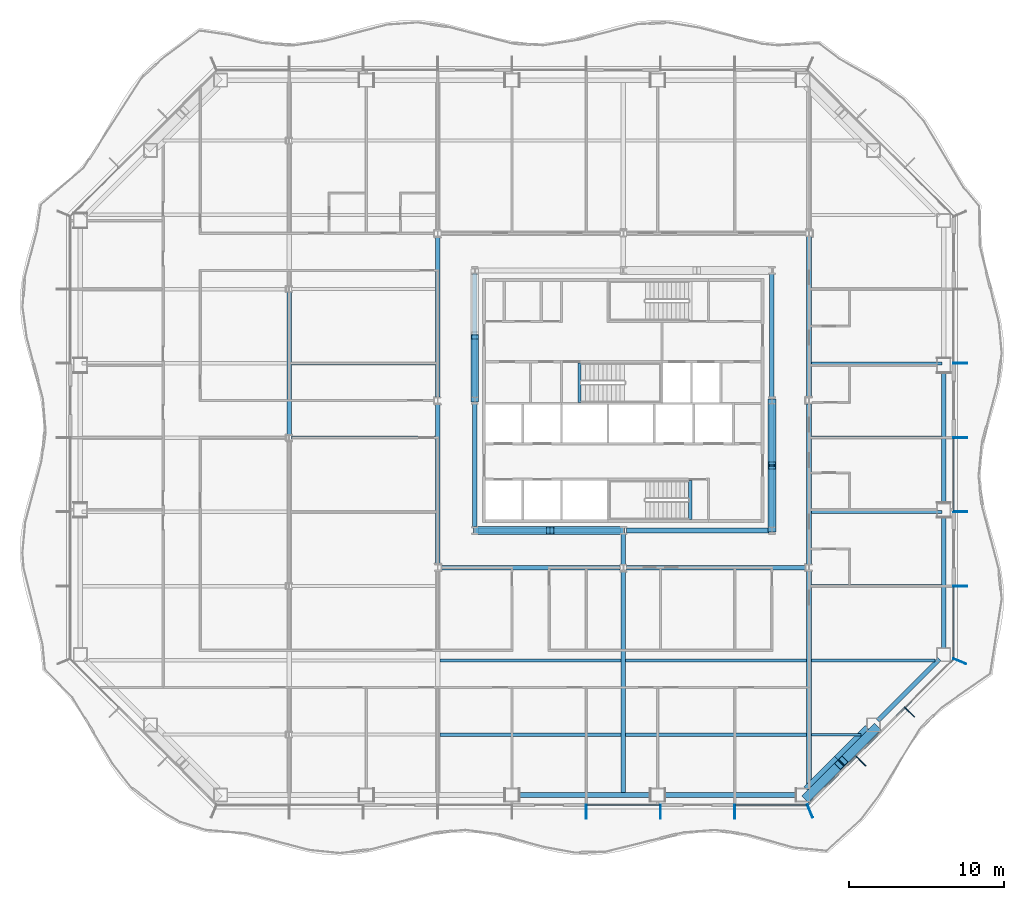
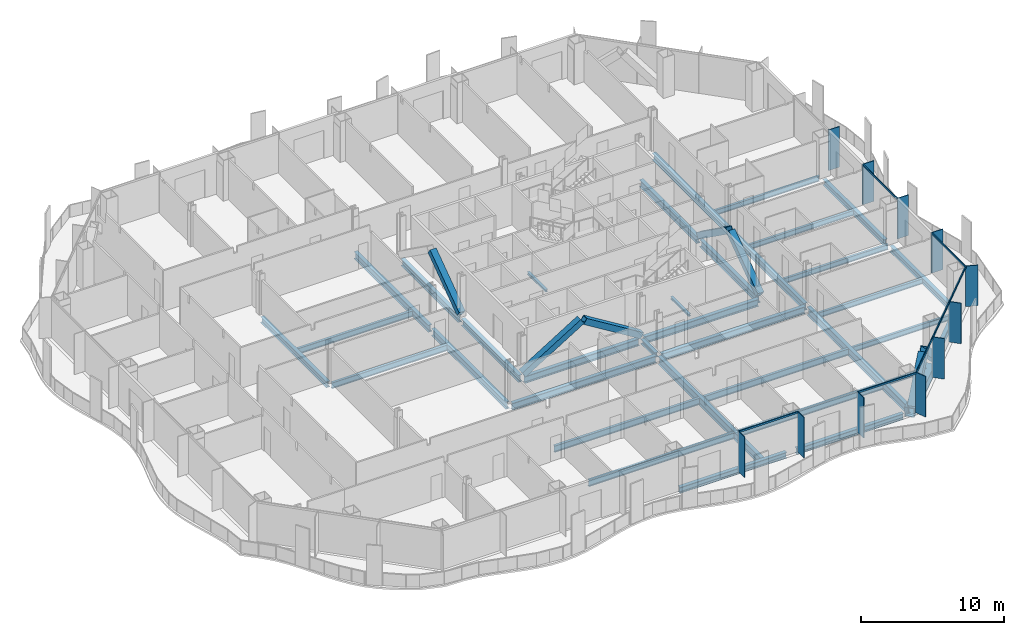
# One storey, part 2 of 18: 37 beams, 25 members, 3 elements without a shape of their own.
"""IFC4 building model written with IfcOpenShell, lengths in metres."""

from ifc_helpers import new_model, si_unit, direction, frame, origin, origin_2d, place, context, subcontext, project, spatial, rectangle, hollow_rectangle, i_section, extrude, material, material_profile, profile_set, type_object, element, aggregate, save


model = new_model("IFC4")

# Units and contexts
model_context = context("Model", 3, precision=1e-05, world=origin(), true_north=direction((0.0, 1.0)))
body_context = subcontext(model_context, "Body", "Model", "MODEL_VIEW")
ifc_project = project(units=[si_unit("LENGTHUNIT", "METRE"), si_unit("AREAUNIT", "SQUARE_METRE"), si_unit("VOLUMEUNIT", "CUBIC_METRE"), si_unit("PLANEANGLEUNIT", "RADIAN"), si_unit("MASSUNIT", "GRAM", prefix="KILO")], contexts=[model_context])

# Site, building, storey
site_placement = place(None, origin())
site = spatial("IfcSite", under=ifc_project, at=site_placement, CompositionType="ELEMENT")
building_placement = place(site_placement, origin())
building = spatial("IfcBuilding", under=site, at=building_placement, Name="Cairn Pilgrim Tower", CompositionType="ELEMENT")
storey_placement = place(building_placement, frame((0.0, 0.0, 65.39990234375)))
storey = spatial("IfcBuildingStorey", under=building, at=storey_placement, Name="L14", CompositionType="ELEMENT", Elevation=65.39990234375)

# Members
ifc_material_1 = material(Name="Structural steel S460M", Category="steel")
ifc_material_profile_1 = material_profile(ifc_material_1, hollow_rectangle(XDim=0.5, YDim=0.5, WallThickness=0.030029296875, at=origin_2d()), Name="BOX 500x500x30")
ifc_profile_set_1 = profile_set([ifc_material_profile_1], Name="Structural steel S460M")
member_type_1 = type_object("IfcMemberType", Name="BOX 500x500x30 BRACE", PredefinedType="BRACE", material=ifc_profile_set_1)
member_1_placement = place(storey_placement, frame((-2.356201171875, -6.0, 0.10009765625), z_axis=(0.850990224345, 0.0, 0.525181528683), x_axis=(0.0, 1.0, 0.0)))
element("IfcMember", 1, at=member_1_placement, inside=storey, type_object=member_type_1, Name="KB-1A", PredefinedType="BRACE", context=body_context, shape_type="SweptSolid", body=[
    extrude(hollow_rectangle(XDim=0.5, YDim=0.5, WallThickness=0.030029296875, at=origin_2d()), origin(), (0.0, 0.0, 1.0), 5.5263671875),
])
member_2_placement = place(storey_placement, frame((7.15625, -6.0, 0.10009765625), z_axis=(-0.851007515624, 0.0, 0.525153509321), x_axis=(0.0, -1.0, 0.0)))
element("IfcMember", 2, at=member_2_placement, inside=storey, type_object=member_type_1, Name="KB-1B", PredefinedType="BRACE", context=body_context, shape_type="SweptSolid", body=[
    extrude(hollow_rectangle(XDim=0.5, YDim=0.5, WallThickness=0.030029296875, at=origin_2d()), origin(), (0.0, 0.0, 1.0), 5.37646484375),
])
member_3_placement = place(storey_placement, frame((16.800048828125, -5.956298828125, 0.10009765625), z_axis=(0.0, 0.814198726233, 0.580586284889), x_axis=(-1.0, 0.0, 0.0)))
element("IfcMember", 3, at=member_3_placement, inside=storey, type_object=member_type_1, Name="KB-2A", PredefinedType="BRACE", context=body_context, shape_type="SweptSolid", body=[
    extrude(hollow_rectangle(XDim=0.5, YDim=0.5, WallThickness=0.030029296875, at=origin_2d()), origin(), (0.0, 0.0, 1.0), 4.99658203125),
])
member_4_placement = place(storey_placement, frame((16.800048828125, 2.356201171875, 0.10009765625), z_axis=(0.0, -0.814182254599, 0.580609383576), x_axis=(1.0, 0.0, 0.0)))
element("IfcMember", 4, at=member_4_placement, inside=storey, type_object=member_type_1, Name="KB-2B", PredefinedType="BRACE", context=body_context, shape_type="SweptSolid", body=[
    extrude(hollow_rectangle(XDim=0.5, YDim=0.5, WallThickness=0.030029296875, at=origin_2d()), origin(), (0.0, 0.0, 1.0), 4.996337890625),
])
member_5_placement = place(storey_placement, frame((-2.39990234375, 2.443603515625, 0.10009765625), z_axis=(0.0, 0.814198726233, 0.580586284889), x_axis=(-1.0, 0.0, 0.0)))
element("IfcMember", 5, at=member_5_placement, inside=storey, type_object=member_type_1, Name="KB-4B", PredefinedType="BRACE", context=body_context, shape_type="SweptSolid", body=[
    extrude(hollow_rectangle(XDim=0.5, YDim=0.5, WallThickness=0.030029296875, at=origin_2d()), origin(), (0.0, 0.0, 1.0), 4.99658203125),
])
ifc_material_profile_2 = material_profile(ifc_material_1, hollow_rectangle(XDim=0.60009765625, YDim=0.60009765625, WallThickness=0.034912109375, at=origin_2d()), Name="BOX 600x600x35")
ifc_profile_set_2 = profile_set([ifc_material_profile_2], Name="Structural steel S460M")
member_type_2 = type_object("IfcMemberType", Name="BOX 600x600x35 BRACE", PredefinedType="BRACE", material=ifc_profile_set_2)
for number, where, z_axis, x_axis, name in (
    (6, (19.078125, -23.2236328125, 0.150146484375), (0.528943710525, 0.528943710525, 0.663654354459), (-0.707106781187, 0.707106781187, 0.0), "XB-SE1-SE2-1"),
    (7, (23.4873046875, -18.814697265625, 0.150146484375), (-0.528960912345, -0.52889942671, 0.663675937214), (0.70706568108, -0.707147878904, 0.0), "XB-SE1-SE2-2"),
):
    element("IfcMember", number, at=place(storey_placement, frame(where, z_axis=z_axis, x_axis=x_axis)), inside=storey, type_object=member_type_2, Name=name, PredefinedType="BRACE", context=body_context, shape_type="SweptSolid", body=[
        extrude(hollow_rectangle(XDim=0.60009765625, YDim=0.60009765625, WallThickness=0.034912109375, at=origin_2d()), origin(), (0.0, 0.0, 1.0), 3.970703125),
    ])

# Beams
ifc_material_2 = material(Name="Structural steel S355J2", Category="steel")
ifc_material_profile_3 = material_profile(ifc_material_2, hollow_rectangle(XDim=0.699951171875, YDim=0.800048828125, WallThickness=0.0400390625, at=origin_2d()), Name="BOX 700x800x40")
ifc_profile_set_3 = profile_set([ifc_material_profile_3], Name="Structural steel S355J2")
beam_type_1 = type_object("IfcBeamType", Name="BOX 700x800x40 RING GIRDER", PredefinedType="SPANDREL", material=ifc_profile_set_3)
beam_1_placement = place(storey_placement, frame((19.113525390625, -22.813720703125, -0.5498046875), z_axis=(0.707106781187, 0.707106781187, 0.0), x_axis=(-0.707106781187, 0.707106781187, 0.0)))
element("IfcBeam", 8, at=beam_1_placement, inside=storey, type_object=beam_type_1, Name="RG1-SE1-SE2-1", PredefinedType="SPANDREL", context=body_context, shape_type="SweptSolid", body=[
    extrude(hollow_rectangle(XDim=0.699951171875, YDim=0.800048828125, WallThickness=0.0400390625, at=origin_2d()), origin(), (0.0, 0.0, 1.0), 2.802978515625),
])
beam_2_placement = place(storey_placement, frame((21.095458984375, -20.831787109375, -0.5498046875), z_axis=(0.707106781187, 0.707106781187, 0.0), x_axis=(-0.707106781187, 0.707106781187, 0.0)))
element("IfcBeam", 9, at=beam_2_placement, inside=storey, type_object=beam_type_1, Name="RG1-SE1-SE2-2", PredefinedType="SPANDREL", context=body_context, shape_type="SweptSolid", body=[
    extrude(hollow_rectangle(XDim=0.699951171875, YDim=0.800048828125, WallThickness=0.0400390625, at=origin_2d()), origin(), (0.0, 0.0, 1.0), 2.802490234375),
])

# Curtain wall, members
ifc_material_3 = material(Name="Aluminium alloy 6063-T6 bronze anodised with Bronze tinted laminated low-E glass 8+16+8.8", Category="aluminium")
curtain_wall_type_1 = type_object("IfcCurtainWallType", Name="TOWER STICK CURTAIN WALL NS", PredefinedType="NOTDEFINED", material=ifc_material_3)
curtain_wall_1_placement = place(storey_placement, origin())
curtain_wall_1 = element("IfcCurtainWall", 10, at=curtain_wall_1_placement, inside=storey, type_object=curtain_wall_type_1, Name="Tower Stick Curtain Wall Ns S", PredefinedType="NOTDEFINED")
ifc_material_4 = material(Name="Aluminium alloy 6063-T6 bronze anodised", Category="aluminium")
ifc_material_profile_4 = material_profile(ifc_material_4, rectangle(XDim=0.89990234375, YDim=0.06005859375, at=origin_2d()), Name="FIN MULLION 60x900 BRONZE")
ifc_profile_set_4 = profile_set([ifc_material_profile_4], Name="Aluminium alloy 6063-T6 bronze anodised")
member_type_3 = type_object("IfcMemberType", Name="FIN MULLION 60x900 BRONZE", PredefinedType="MULLION", material=ifc_profile_set_4)
member_6_placement = place(storey_placement, frame((4.800048828125, -24.169921875, 0.0), z_axis=(0.0, 0.0, 1.0), x_axis=(0.0, -1.0, 0.0)))
member_6 = element("IfcMember", 11, at=member_6_placement, type_object=member_type_3, Name="Fin mullion S6", PredefinedType="MULLION", context=body_context, shape_type="SweptSolid", body=[
    extrude(rectangle(XDim=0.89990234375, YDim=0.06005859375, at=origin_2d()), origin(), (0.0, 0.0, 1.0), 3.4501953125),
])
member_7_placement = place(storey_placement, frame((9.60009765625, -24.169921875, 0.0), z_axis=(0.0, 0.0, 1.0), x_axis=(0.0, -1.0, 0.0)))
member_7 = element("IfcMember", 12, at=member_7_placement, type_object=member_type_3, Name="Fin mullion S7", PredefinedType="MULLION", context=body_context, shape_type="SweptSolid", body=[
    extrude(rectangle(XDim=0.89990234375, YDim=0.06005859375, at=origin_2d()), origin(), (0.0, 0.0, 1.0), 3.4501953125),
])
member_8_placement = place(storey_placement, frame((14.39990234375, -24.169921875, 0.0), z_axis=(0.0, 0.0, 1.0), x_axis=(0.0, -1.0, 0.0)))
member_8 = element("IfcMember", 13, at=member_8_placement, type_object=member_type_3, Name="Fin mullion S8", PredefinedType="MULLION", context=body_context, shape_type="SweptSolid", body=[
    extrude(rectangle(XDim=0.89990234375, YDim=0.06005859375, at=origin_2d()), origin(), (0.0, 0.0, 1.0), 3.4501953125),
])

curtain_wall_type_2 = type_object("IfcCurtainWallType", Name="CHAMFER CORNER CURTAIN WALL", PredefinedType="NOTDEFINED", material=ifc_material_3)
curtain_wall_2_placement = place(storey_placement, origin())
curtain_wall_2 = element("IfcCurtainWall", 14, at=curtain_wall_2_placement, inside=storey, type_object=curtain_wall_type_2, Name="Chamfer Corner Curtain Wall SE", PredefinedType="NOTDEFINED")
member_9_placement = place(storey_placement, frame((19.257080078125, -24.137939453125, 0.0), z_axis=(0.0, 0.0, 1.0), x_axis=(0.382683432365, -0.923879532511, 0.0)))
member_9 = element("IfcMember", 15, at=member_9_placement, type_object=member_type_3, Name="Fin mullion SE1", PredefinedType="MULLION", context=body_context, shape_type="SweptSolid", body=[
    extrude(rectangle(XDim=0.89990234375, YDim=0.06005859375, at=origin_2d()), origin(), (0.0, 0.0, 1.0), 3.4501953125),
])
member_10_placement = place(storey_placement, frame((22.544677734375, -20.895751953125, 0.0), z_axis=(0.0, 0.0, 1.0), x_axis=(0.707106781187, -0.707106781187, 0.0)))
member_10 = element("IfcMember", 16, at=member_10_placement, type_object=member_type_3, Name="Fin mullion SE2", PredefinedType="MULLION", context=body_context, shape_type="SweptSolid", body=[
    extrude(rectangle(XDim=0.89990234375, YDim=0.06005859375, at=origin_2d()), origin(), (0.0, 0.0, 1.0), 3.4501953125),
])
member_11_placement = place(storey_placement, frame((25.69580078125, -17.74462890625, 0.0), z_axis=(0.0, 0.0, 1.0), x_axis=(0.707106781187, -0.707106781187, 0.0)))
member_11 = element("IfcMember", 17, at=member_11_placement, type_object=member_type_3, Name="Fin mullion SE3", PredefinedType="MULLION", context=body_context, shape_type="SweptSolid", body=[
    extrude(rectangle(XDim=0.89990234375, YDim=0.06005859375, at=origin_2d()), origin(), (0.0, 0.0, 1.0), 3.4501953125),
])

curtain_wall_type_3 = type_object("IfcCurtainWallType", Name="TOWER STICK CURTAIN WALL EW", PredefinedType="NOTDEFINED", material=ifc_material_3)
curtain_wall_3_placement = place(storey_placement, origin())
curtain_wall_3 = element("IfcCurtainWall", 18, at=curtain_wall_3_placement, inside=storey, type_object=curtain_wall_type_3, Name="Tower Stick Curtain Wall Ew E", PredefinedType="NOTDEFINED")
member_12_placement = place(storey_placement, frame((28.93798828125, -14.457275390625, 0.0), z_axis=(0.0, 0.0, 1.0), x_axis=(0.923879532511, -0.382683432365, 0.0)))
member_12 = element("IfcMember", 19, at=member_12_placement, type_object=member_type_3, Name="Fin mullion E1", PredefinedType="MULLION", context=body_context, shape_type="SweptSolid", body=[
    extrude(rectangle(XDim=0.89990234375, YDim=0.06005859375, at=origin_2d()), origin(), (0.0, 0.0, 1.0), 3.4501953125),
])
member_13_placement = place(storey_placement, frame((28.969970703125, -9.60009765625, 0.0), z_axis=(0.0, 0.0, 1.0), x_axis=(1.0, 0.0, 0.0)))
member_13 = element("IfcMember", 20, at=member_13_placement, type_object=member_type_3, Name="Fin mullion E2", PredefinedType="MULLION", context=body_context, shape_type="SweptSolid", body=[
    extrude(rectangle(XDim=0.89990234375, YDim=0.06005859375, at=origin_2d()), origin(), (0.0, 0.0, 1.0), 3.4501953125),
])
member_14_placement = place(storey_placement, frame((28.969970703125, -4.800048828125, 0.0), z_axis=(0.0, 0.0, 1.0), x_axis=(1.0, 0.0, 0.0)))
member_14 = element("IfcMember", 21, at=member_14_placement, type_object=member_type_3, Name="Fin mullion E3", PredefinedType="MULLION", context=body_context, shape_type="SweptSolid", body=[
    extrude(rectangle(XDim=0.89990234375, YDim=0.06005859375, at=origin_2d()), origin(), (0.0, 0.0, 1.0), 3.4501953125),
])
member_15_placement = place(storey_placement, frame((28.969970703125, 0.0, 0.0), z_axis=(0.0, 0.0, 1.0), x_axis=(1.0, 0.0, 0.0)))
member_15 = element("IfcMember", 22, at=member_15_placement, type_object=member_type_3, Name="Fin mullion E4", PredefinedType="MULLION", context=body_context, shape_type="SweptSolid", body=[
    extrude(rectangle(XDim=0.89990234375, YDim=0.06005859375, at=origin_2d()), origin(), (0.0, 0.0, 1.0), 3.4501953125),
])
member_16_placement = place(storey_placement, frame((28.969970703125, 4.800048828125, 0.0), z_axis=(0.0, 0.0, 1.0), x_axis=(1.0, 0.0, 0.0)))
member_16 = element("IfcMember", 23, at=member_16_placement, type_object=member_type_3, Name="Fin mullion E5", PredefinedType="MULLION", context=body_context, shape_type="SweptSolid", body=[
    extrude(rectangle(XDim=0.89990234375, YDim=0.06005859375, at=origin_2d()), origin(), (0.0, 0.0, 1.0), 3.4501953125),
])

# Beams
ifc_material_profile_5 = material_profile(ifc_material_2, i_section(OverallWidth=0.300048828125, OverallDepth=0.39990234375, WebThickness=0.013427734375, FlangeThickness=0.02392578125, FilletRadius=0.027099609375, at=origin_2d()), Name="HEB 400")
ifc_profile_set_5 = profile_set([ifc_material_profile_5], Name="Structural steel S355J2")
beam_type_2 = type_object("IfcBeamType", Name="HEB 400 GIRDER", PredefinedType="BEAM", material=ifc_profile_set_5)
beam_3_placement = place(storey_placement, frame((7.199951171875, -8.18798828125, -0.349853515625), z_axis=(0.0, 1.0, 0.0), x_axis=(-1.0, 0.0, 0.0)))
element("IfcBeam", 24, at=beam_3_placement, inside=storey, type_object=beam_type_2, Name="PG3-E1", PredefinedType="BEAM", context=body_context, shape_type="SweptSolid", body=[
    extrude(i_section(OverallWidth=0.300048828125, OverallDepth=0.39990234375, WebThickness=0.013427734375, FlangeThickness=0.02392578125, FilletRadius=0.027099609375, at=origin_2d()), origin(), (0.0, 0.0, 1.0), 1.969482421875),
])
ifc_material_profile_6 = material_profile(ifc_material_2, i_section(OverallWidth=0.300048828125, OverallDepth=0.5, WebThickness=0.014404296875, FlangeThickness=0.028076171875, FilletRadius=0.027099609375, at=origin_2d()), Name="HEB 500")
ifc_profile_set_6 = profile_set([ifc_material_profile_6], Name="Structural steel S355J2")
beam_type_3 = type_object("IfcBeamType", Name="HEB 500 GIRDER", PredefinedType="BEAM", material=ifc_profile_set_6)
beam_4_placement = place(storey_placement, frame((-14.39990234375, 0.20458984375, -0.39990234375), z_axis=(0.0, 1.0, 0.0), x_axis=(-1.0, 0.0, 0.0)))
element("IfcBeam", 25, at=beam_4_placement, inside=storey, type_object=beam_type_3, Name="PG1-4", PredefinedType="BEAM", context=body_context, shape_type="SweptSolid", body=[
    extrude(i_section(OverallWidth=0.300048828125, OverallDepth=0.5, WebThickness=0.014404296875, FlangeThickness=0.028076171875, FilletRadius=0.027099609375, at=origin_2d()), origin(), (0.0, 0.0, 1.0), 9.19091796875),
])
ifc_material_profile_7 = material_profile(ifc_material_2, i_section(OverallWidth=0.300048828125, OverallDepth=0.5, WebThickness=0.014404296875, FlangeThickness=0.028076171875, FilletRadius=0.027099609375, at=origin_2d()), Name="HEB 500")
ifc_profile_set_7 = profile_set([ifc_material_profile_7], Name="Structural steel S355J2")
beam_type_4 = type_object("IfcBeamType", Name="HEB 500 RING GIRDER", PredefinedType="SPANDREL", material=ifc_profile_set_7)
for number, where, z_axis, x_axis, name in (
    (26, (0.405029296875, -23.10009765625, -0.39990234375), (1.0, 0.0, 0.0), (0.0, 1.0, 0.0), "RG1-S3-S4"),
    (27, (9.818603515625, -23.10009765625, -0.39990234375), (1.0, 0.0, 0.0), (0.0, 1.0, 0.0), "RG1-S4-SE1"),
):
    element("IfcBeam", number, at=place(storey_placement, frame(where, z_axis=z_axis, x_axis=x_axis)), inside=storey, type_object=beam_type_4, Name=name, PredefinedType="SPANDREL", context=body_context, shape_type="SweptSolid", body=[
        extrude(i_section(OverallWidth=0.300048828125, OverallDepth=0.5, WebThickness=0.014404296875, FlangeThickness=0.028076171875, FilletRadius=0.027099609375, at=origin_2d()), origin(), (0.0, 0.0, 1.0), 8.603515625),
    ])
beam_5_placement = place(storey_placement, frame((23.64990234375, -18.277099609375, -0.39990234375), z_axis=(0.707128558756, 0.707085002947, 0.0), x_axis=(-0.707085002947, 0.707128558756, 0.0)))
element("IfcBeam", 28, at=beam_5_placement, inside=storey, type_object=beam_type_4, Name="RG1-SE2-E1", PredefinedType="SPANDREL", context=body_context, shape_type="SweptSolid", body=[
    extrude(i_section(OverallWidth=0.300048828125, OverallDepth=0.5, WebThickness=0.014404296875, FlangeThickness=0.028076171875, FilletRadius=0.027099609375, at=origin_2d()), origin(), (0.0, 0.0, 1.0), 5.605224609375),
])
for number, where, z_axis, x_axis, name in (
    (29, (27.89990234375, -13.622314453125, -0.39990234375), (0.0, 1.0, 0.0), (-1.0, 0.0, 0.0), "RG1-E1-E2"),
    (30, (27.89990234375, -4.270751953125, -0.39990234375), (0.0, 1.0, 0.0), (-1.0, 0.0, 0.0), "RG1-E2-E3"),
):
    element("IfcBeam", number, at=place(storey_placement, frame(where, z_axis=z_axis, x_axis=x_axis)), inside=storey, type_object=beam_type_4, Name=name, PredefinedType="SPANDREL", context=body_context, shape_type="SweptSolid", body=[
        extrude(i_section(OverallWidth=0.300048828125, OverallDepth=0.5, WebThickness=0.014404296875, FlangeThickness=0.028076171875, FilletRadius=0.027099609375, at=origin_2d()), origin(), (0.0, 0.0, 1.0), 8.54150390625),
    ])
ifc_material_profile_8 = material_profile(ifc_material_2, i_section(OverallWidth=0.300048828125, OverallDepth=0.60009765625, WebThickness=0.015380859375, FlangeThickness=0.030029296875, FilletRadius=0.027099609375, at=origin_2d()), Name="HEB 600")
ifc_profile_set_8 = profile_set([ifc_material_profile_8], Name="Structural steel S355J2")
beam_type_5 = type_object("IfcBeamType", Name="HEB 600 CORE BEAM", PredefinedType="BEAM", material=ifc_profile_set_8)
beam_6_placement = place(storey_placement, frame((-2.203369140625, -6.0, -0.449951171875), z_axis=(1.0, 0.0, 0.0), x_axis=(0.0, 1.0, 0.0)))
element("IfcBeam", 31, at=beam_6_placement, inside=storey, type_object=beam_type_5, Name="CB-1", PredefinedType="BEAM", context=body_context, shape_type="SweptSolid", body=[
    extrude(i_section(OverallWidth=0.300048828125, OverallDepth=0.60009765625, WebThickness=0.015380859375, FlangeThickness=0.030029296875, FilletRadius=0.027099609375, at=origin_2d()), origin(), (0.0, 0.0, 1.0), 9.206787109375),
])
beam_7_placement = place(storey_placement, frame((7.396728515625, -6.0, -0.449951171875), z_axis=(1.0, 0.0, 0.0), x_axis=(0.0, 1.0, 0.0)))
element("IfcBeam", 32, at=beam_7_placement, inside=storey, type_object=beam_type_5, Name="CB-2", PredefinedType="BEAM", context=body_context, shape_type="SweptSolid", body=[
    extrude(i_section(OverallWidth=0.300048828125, OverallDepth=0.60009765625, WebThickness=0.015380859375, FlangeThickness=0.030029296875, FilletRadius=0.027099609375, at=origin_2d()), origin(), (0.0, 0.0, 1.0), 9.20654296875),
])
for number, where, z_axis, x_axis, name in (
    (33, (16.800048828125, -5.803466796875, -0.449951171875), (0.0, 1.0, 0.0), (-1.0, 0.0, 0.0), "CB-3"),
    (34, (16.800048828125, 2.5966796875, -0.449951171875), (0.0, 1.0, 0.0), (-1.0, 0.0, 0.0), "CB-4"),
    (35, (-2.39990234375, 10.603515625, -0.449951171875), (0.0, -1.0, 0.0), (1.0, 0.0, 0.0), "CB-7"),
    (36, (-2.39990234375, 2.203369140625, -0.449951171875), (0.0, -1.0, 0.0), (1.0, 0.0, 0.0), "CB-8"),
):
    element("IfcBeam", number, at=place(storey_placement, frame(where, z_axis=z_axis, x_axis=x_axis)), inside=storey, type_object=beam_type_5, Name=name, PredefinedType="BEAM", context=body_context, shape_type="SweptSolid", body=[
        extrude(i_section(OverallWidth=0.300048828125, OverallDepth=0.60009765625, WebThickness=0.015380859375, FlangeThickness=0.030029296875, FilletRadius=0.027099609375, at=origin_2d()), origin(), (0.0, 0.0, 1.0), 8.0068359375),
    ])
ifc_material_profile_9 = material_profile(ifc_material_2, i_section(OverallWidth=0.300048828125, OverallDepth=0.60009765625, WebThickness=0.015380859375, FlangeThickness=0.030029296875, FilletRadius=0.027099609375, at=origin_2d()), Name="HEB 600")
ifc_profile_set_9 = profile_set([ifc_material_profile_9], Name="Structural steel S355J2")
beam_type_6 = type_object("IfcBeamType", Name="HEB 600 GIRDER", PredefinedType="BEAM", material=ifc_profile_set_9)
for number, where, z_axis, x_axis, name in (
    (37, (-4.800048828125, -8.18798828125, -0.449951171875), (0.0, 1.0, 0.0), (-1.0, 0.0, 0.0), "PG2-2"),
    (38, (-4.800048828125, 2.612060546875, -0.449951171875), (0.0, 1.0, 0.0), (-1.0, 0.0, 0.0), "PG2-3"),
    (39, (19.199951171875, -8.18798828125, -0.449951171875), (0.0, 1.0, 0.0), (-1.0, 0.0, 0.0), "PG4-2"),
    (40, (19.199951171875, 2.612060546875, -0.449951171875), (0.0, 1.0, 0.0), (-1.0, 0.0, 0.0), "PG4-3"),
):
    element("IfcBeam", number, at=place(storey_placement, frame(where, z_axis=z_axis, x_axis=x_axis)), inside=storey, type_object=beam_type_6, Name=name, PredefinedType="BEAM", context=body_context, shape_type="SweptSolid", body=[
        extrude(i_section(OverallWidth=0.300048828125, OverallDepth=0.60009765625, WebThickness=0.015380859375, FlangeThickness=0.030029296875, FilletRadius=0.027099609375, at=origin_2d()), origin(), (0.0, 0.0, 1.0), 10.3759765625),
    ])
ifc_material_profile_10 = material_profile(ifc_material_2, i_section(OverallWidth=0.300048828125, OverallDepth=0.60009765625, WebThickness=0.015380859375, FlangeThickness=0.030029296875, FilletRadius=0.027099609375, at=origin_2d()), Name="HEB 600")
ifc_profile_set_10 = profile_set([ifc_material_profile_10], Name="Structural steel S355J2")
beam_type_7 = type_object("IfcBeamType", Name="HEB 600 INNER GIRDER", PredefinedType="BEAM", material=ifc_profile_set_10)
for number, where, z_axis, x_axis, name in (
    (41, (-4.587890625, -8.39990234375, -0.449951171875), (1.0, 0.0, 0.0), (0.0, 1.0, 0.0), "IG1-1"),
    (42, (7.412109375, -8.39990234375, -0.449951171875), (1.0, 0.0, 0.0), (0.0, 1.0, 0.0), "IG1-2"),
):
    element("IfcBeam", number, at=place(storey_placement, frame(where, z_axis=z_axis, x_axis=x_axis)), inside=storey, type_object=beam_type_7, Name=name, PredefinedType="BEAM", context=body_context, shape_type="SweptSolid", body=[
        extrude(i_section(OverallWidth=0.300048828125, OverallDepth=0.60009765625, WebThickness=0.015380859375, FlangeThickness=0.030029296875, FilletRadius=0.027099609375, at=origin_2d()), origin(), (0.0, 0.0, 1.0), 11.575927734375),
    ])
ifc_material_profile_11 = material_profile(ifc_material_2, i_section(OverallWidth=0.300048828125, OverallDepth=0.699951171875, WebThickness=0.01708984375, FlangeThickness=0.031982421875, FilletRadius=0.027099609375, at=origin_2d()), Name="HEB 700")
ifc_profile_set_11 = profile_set([ifc_material_profile_11], Name="Structural steel S355J2")
beam_type_8 = type_object("IfcBeamType", Name="HEB 700 GIRDER", PredefinedType="BEAM", material=ifc_profile_set_11)
beam_8_placement = place(storey_placement, frame((7.199951171875, -22.97998046875, -0.5), z_axis=(0.0, 1.0, 0.0), x_axis=(-1.0, 0.0, 0.0)))
element("IfcBeam", 43, at=beam_8_placement, inside=storey, type_object=beam_type_8, Name="PG3-1", PredefinedType="BEAM", context=body_context, shape_type="SweptSolid", body=[
    extrude(i_section(OverallWidth=0.300048828125, OverallDepth=0.699951171875, WebThickness=0.01708984375, FlangeThickness=0.031982421875, FilletRadius=0.027099609375, at=origin_2d()), origin(), (0.0, 0.0, 1.0), 14.367919921875),
])
beam_9_placement = place(storey_placement, frame((19.199951171875, -22.545166015625, -0.5), z_axis=(0.0, 1.0, 0.0), x_axis=(-1.0, 0.0, 0.0)))
element("IfcBeam", 44, at=beam_9_placement, inside=storey, type_object=beam_type_8, Name="PG4-1", PredefinedType="BEAM", context=body_context, shape_type="SweptSolid", body=[
    extrude(i_section(OverallWidth=0.300048828125, OverallDepth=0.699951171875, WebThickness=0.01708984375, FlangeThickness=0.031982421875, FilletRadius=0.027099609375, at=origin_2d()), origin(), (0.0, 0.0, 1.0), 13.93310546875),
])
ifc_material_profile_12 = material_profile(ifc_material_2, i_section(OverallWidth=0.169921875, OverallDepth=0.360107421875, WebThickness=0.008056640625, FlangeThickness=0.0126953125, FilletRadius=0.01806640625, at=origin_2d()), Name="IPE 360")
ifc_profile_set_12 = profile_set([ifc_material_profile_12], Name="Structural steel S355J2")
beam_type_9 = type_object("IfcBeamType", Name="IPE 360 SECONDARY BEAM", PredefinedType="JOIST", material=ifc_profile_set_12)
beam_10_placement = place(storey_placement, frame((19.35009765625, -19.199951171875, -0.329833984375), z_axis=(1.0, 0.0, 0.0), x_axis=(0.0, 1.0, 0.0)))
element("IfcBeam", 45, at=beam_10_placement, inside=storey, type_object=beam_type_9, Name="SB1-5", PredefinedType="JOIST", context=body_context, shape_type="SweptSolid", body=[
    extrude(i_section(OverallWidth=0.169921875, OverallDepth=0.360107421875, WebThickness=0.008056640625, FlangeThickness=0.0126953125, FilletRadius=0.01806640625, at=origin_2d()), origin(), (0.0, 0.0, 1.0), 3.195068359375),
])
ifc_material_profile_13 = material_profile(ifc_material_2, i_section(OverallWidth=0.18994140625, OverallDepth=0.449951171875, WebThickness=0.009521484375, FlangeThickness=0.0146484375, FilletRadius=0.02099609375, at=origin_2d()), Name="IPE 450")
ifc_profile_set_13 = profile_set([ifc_material_profile_13], Name="Structural steel S355J2")
beam_type_10 = type_object("IfcBeamType", Name="IPE 450 SECONDARY BEAM", PredefinedType="JOIST", material=ifc_profile_set_13)
beam_11_placement = place(storey_placement, frame((19.35009765625, -14.39990234375, -0.375), z_axis=(1.0, 0.0, 0.0), x_axis=(0.0, 1.0, 0.0)))
element("IfcBeam", 46, at=beam_11_placement, inside=storey, type_object=beam_type_10, Name="SB2-5", PredefinedType="JOIST", context=body_context, shape_type="SweptSolid", body=[
    extrude(i_section(OverallWidth=0.18994140625, OverallDepth=0.449951171875, WebThickness=0.009521484375, FlangeThickness=0.0146484375, FilletRadius=0.02099609375, at=origin_2d()), origin(), (0.0, 0.0, 1.0), 7.9951171875),
])
for number, where, z_axis, x_axis, name in (
    (47, (19.35009765625, -9.60009765625, -0.375), (1.0, 0.0, 0.0), (0.0, 1.0, 0.0), "SB3-3"),
    (48, (19.35009765625, -4.800048828125, -0.375), (1.0, 0.0, 0.0), (0.0, 1.0, 0.0), "SB4-3"),
    (49, (19.35009765625, 0.0, -0.375), (1.0, 0.0, 0.0), (0.0, 1.0, 0.0), "SB5-3"),
    (50, (19.35009765625, 4.800048828125, -0.375), (1.0, 0.0, 0.0), (0.0, 1.0, 0.0), "SB6-3"),
):
    element("IfcBeam", number, at=place(storey_placement, frame(where, z_axis=z_axis, x_axis=x_axis)), inside=storey, type_object=beam_type_10, Name=name, PredefinedType="JOIST", context=body_context, shape_type="SweptSolid", body=[
        extrude(i_section(OverallWidth=0.18994140625, OverallDepth=0.449951171875, WebThickness=0.009521484375, FlangeThickness=0.0146484375, FilletRadius=0.02099609375, at=origin_2d()), origin(), (0.0, 0.0, 1.0), 8.429931640625),
    ])
ifc_material_profile_14 = material_profile(ifc_material_2, i_section(OverallWidth=0.199951171875, OverallDepth=0.5, WebThickness=0.01025390625, FlangeThickness=0.01611328125, FilletRadius=0.02099609375, at=origin_2d()), Name="IPE 500")
ifc_profile_set_14 = profile_set([ifc_material_profile_14], Name="Structural steel S355J2")
beam_type_11 = type_object("IfcBeamType", Name="IPE 500 SECONDARY BEAM", PredefinedType="JOIST", material=ifc_profile_set_14)
for number, where, z_axis, x_axis, name in (
    (51, (-14.25, 0.0, -0.39990234375), (1.0, 0.0, 0.0), (0.0, 1.0, 0.0), "SB5-2"),
    (52, (-14.25, 4.800048828125, -0.39990234375), (1.0, 0.0, 0.0), (0.0, 1.0, 0.0), "SB6-2"),
):
    element("IfcBeam", number, at=place(storey_placement, frame(where, z_axis=z_axis, x_axis=x_axis)), inside=storey, type_object=beam_type_11, Name=name, PredefinedType="JOIST", context=body_context, shape_type="SweptSolid", body=[
        extrude(i_section(OverallWidth=0.199951171875, OverallDepth=0.5, WebThickness=0.01025390625, FlangeThickness=0.01611328125, FilletRadius=0.02099609375, at=origin_2d()), origin(), (0.0, 0.0, 1.0), 9.300048828125),
    ])
ifc_material_profile_15 = material_profile(ifc_material_2, i_section(OverallWidth=0.2099609375, OverallDepth=0.550048828125, WebThickness=0.010986328125, FlangeThickness=0.01708984375, FilletRadius=0.02392578125, at=origin_2d()), Name="IPE 550")
ifc_profile_set_15 = profile_set([ifc_material_profile_15], Name="Structural steel S355J2")
beam_type_12 = type_object("IfcBeamType", Name="IPE 550 SECONDARY BEAM", PredefinedType="JOIST", material=ifc_profile_set_15)
for number, where, z_axis, x_axis, name in (
    (53, (-4.64990234375, -19.199951171875, -0.4248046875), (1.0, 0.0, 0.0), (0.0, 1.0, 0.0), "SB1-3"),
    (54, (7.35009765625, -19.199951171875, -0.4248046875), (1.0, 0.0, 0.0), (0.0, 1.0, 0.0), "SB1-4"),
    (55, (-4.64990234375, -14.39990234375, -0.4248046875), (1.0, 0.0, 0.0), (0.0, 1.0, 0.0), "SB2-3"),
    (56, (7.35009765625, -14.39990234375, -0.4248046875), (1.0, 0.0, 0.0), (0.0, 1.0, 0.0), "SB2-4"),
):
    element("IfcBeam", number, at=place(storey_placement, frame(where, z_axis=z_axis, x_axis=x_axis)), inside=storey, type_object=beam_type_12, Name=name, PredefinedType="JOIST", context=body_context, shape_type="SweptSolid", body=[
        extrude(i_section(OverallWidth=0.2099609375, OverallDepth=0.550048828125, WebThickness=0.010986328125, FlangeThickness=0.01708984375, FilletRadius=0.02392578125, at=origin_2d()), origin(), (0.0, 0.0, 1.0), 11.699951171875),
    ])
ifc_material_profile_16 = material_profile(ifc_material_2, i_section(OverallWidth=0.199951171875, OverallDepth=0.199951171875, WebThickness=0.009033203125, FlangeThickness=0.014892578125, FilletRadius=0.01806640625, at=origin_2d()), Name="HE 200 B")
ifc_profile_set_16 = profile_set([ifc_material_profile_16], Name="Structural steel S355J2")
beam_type_13 = type_object("IfcBeamType", Name="STAIR LANDING BEAM HE 200 B", PredefinedType="BEAM", material=ifc_profile_set_16)
beam_12_placement = place(storey_placement, frame((11.5244140625, -2.77490234375, -0.25), z_axis=(0.0, -1.0, 0.0), x_axis=(1.0, 0.0, 0.0)))
element("IfcBeam", 57, at=beam_12_placement, inside=storey, type_object=beam_type_13, Name="STAIR LANDING BEAM LD-HE200B", PredefinedType="BEAM", context=body_context, shape_type="SweptSolid", body=[
    extrude(i_section(OverallWidth=0.199951171875, OverallDepth=0.199951171875, WebThickness=0.009033203125, FlangeThickness=0.014892578125, FilletRadius=0.01806640625, at=origin_2d()), origin(), (0.0, 0.0, 1.0), 2.525146484375),
])
beam_13_placement = place(storey_placement, frame((4.37548828125, 2.27490234375, -0.25), z_axis=(0.0, 1.0, 0.0), x_axis=(-1.0, 0.0, 0.0)))
element("IfcBeam", 58, at=beam_13_placement, inside=storey, type_object=beam_type_13, Name="STAIR LANDING BEAM LD-HE200B", PredefinedType="BEAM", context=body_context, shape_type="SweptSolid", body=[
    extrude(i_section(OverallWidth=0.199951171875, OverallDepth=0.199951171875, WebThickness=0.009033203125, FlangeThickness=0.014892578125, FilletRadius=0.01806640625, at=origin_2d()), origin(), (0.0, 0.0, 1.0), 2.550048828125),
])

# Member
ifc_material_profile_17 = material_profile(ifc_material_4, rectangle(XDim=0.080078125, YDim=0.14990234375, at=origin_2d()), Name="TRANSOM 80x150 BRONZE")
ifc_profile_set_17 = profile_set([ifc_material_profile_17], Name="Aluminium alloy 6063-T6 bronze anodised")
member_type_4 = type_object("IfcMemberType", Name="TRANSOM 80x150 BRONZE", PredefinedType="USERDEFINED", material=ifc_profile_set_17)
member_17_placement = place(storey_placement, frame((4.830078125, -23.75, 3.375), z_axis=(1.0, 0.0, 0.0), x_axis=(0.0, 1.0, 0.0)))
member_17 = element("IfcMember", 59, at=member_17_placement, type_object=member_type_4, Name="Transom S6", ObjectType="TRANSOM", PredefinedType="USERDEFINED", context=body_context, shape_type="SweptSolid", body=[
    extrude(rectangle(XDim=0.080078125, YDim=0.14990234375, at=origin_2d()), origin(), (0.0, 0.0, 1.0), 4.739990234375),
])

member_18_placement = place(storey_placement, frame((14.429931640625, -23.75, 3.375), z_axis=(1.0, 0.0, 0.0), x_axis=(0.0, 1.0, 0.0)))
member_18 = element("IfcMember", 60, at=member_18_placement, type_object=member_type_4, Name="Transom S8", ObjectType="TRANSOM", PredefinedType="USERDEFINED", context=body_context, shape_type="SweptSolid", body=[
    extrude(rectangle(XDim=0.080078125, YDim=0.14990234375, at=origin_2d()), origin(), (0.0, 0.0, 1.0), 4.62646484375),
])

aggregate(curtain_wall_1, [member_6, member_7, member_8, member_17, member_18])

member_19_placement = place(storey_placement, frame((19.124755859375, -23.7216796875, 3.375), z_axis=(0.707106781187, 0.707106781187, 0.0), x_axis=(-0.707106781187, 0.707106781187, 0.0)))
member_19 = element("IfcMember", 61, at=member_19_placement, type_object=member_type_4, Name="Transom SE1", ObjectType="TRANSOM", PredefinedType="USERDEFINED", context=body_context, shape_type="SweptSolid", body=[
    extrude(rectangle(XDim=0.080078125, YDim=0.14990234375, at=origin_2d()), origin(), (0.0, 0.0, 1.0), 4.38623046875),
])

member_20_placement = place(storey_placement, frame((22.268798828125, -20.57763671875, 3.375), z_axis=(0.707106781187, 0.707106781187, 0.0), x_axis=(-0.707106781187, 0.707106781187, 0.0)))
member_20 = element("IfcMember", 62, at=member_20_placement, type_object=member_type_4, Name="Transom SE2", ObjectType="TRANSOM", PredefinedType="USERDEFINED", context=body_context, shape_type="SweptSolid", body=[
    extrude(rectangle(XDim=0.080078125, YDim=0.14990234375, at=origin_2d()), origin(), (0.0, 0.0, 1.0), 4.396728515625),
])

member_21_placement = place(storey_placement, frame((25.419921875, -17.426513671875, 3.375), z_axis=(0.707106781187, 0.707106781187, 0.0), x_axis=(-0.707106781187, 0.707106781187, 0.0)))
member_21 = element("IfcMember", 63, at=member_21_placement, type_object=member_type_4, Name="Transom SE3", ObjectType="TRANSOM", PredefinedType="USERDEFINED", context=body_context, shape_type="SweptSolid", body=[
    extrude(rectangle(XDim=0.080078125, YDim=0.14990234375, at=origin_2d()), origin(), (0.0, 0.0, 1.0), 4.38671875),
])

aggregate(curtain_wall_2, [member_9, member_10, member_11, member_19, member_20, member_21])

member_22_placement = place(storey_placement, frame((28.550048828125, -14.25634765625, 3.375), z_axis=(0.0, 1.0, 0.0), x_axis=(-1.0, 0.0, 0.0)))
member_22 = element("IfcMember", 64, at=member_22_placement, type_object=member_type_4, Name="Transom E1", ObjectType="TRANSOM", PredefinedType="USERDEFINED", context=body_context, shape_type="SweptSolid", body=[
    extrude(rectangle(XDim=0.080078125, YDim=0.14990234375, at=origin_2d()), origin(), (0.0, 0.0, 1.0), 4.62646484375),
])

member_23_placement = place(storey_placement, frame((28.550048828125, -4.77001953125, 3.375), z_axis=(0.0, 1.0, 0.0), x_axis=(-1.0, 0.0, 0.0)))
member_23 = element("IfcMember", 65, at=member_23_placement, type_object=member_type_4, Name="Transom E3", ObjectType="TRANSOM", PredefinedType="USERDEFINED", context=body_context, shape_type="SweptSolid", body=[
    extrude(rectangle(XDim=0.080078125, YDim=0.14990234375, at=origin_2d()), origin(), (0.0, 0.0, 1.0), 4.739990234375),
])

aggregate(curtain_wall_3, [member_12, member_13, member_14, member_15, member_16, member_22, member_23])

save(model, "model.ifc")
